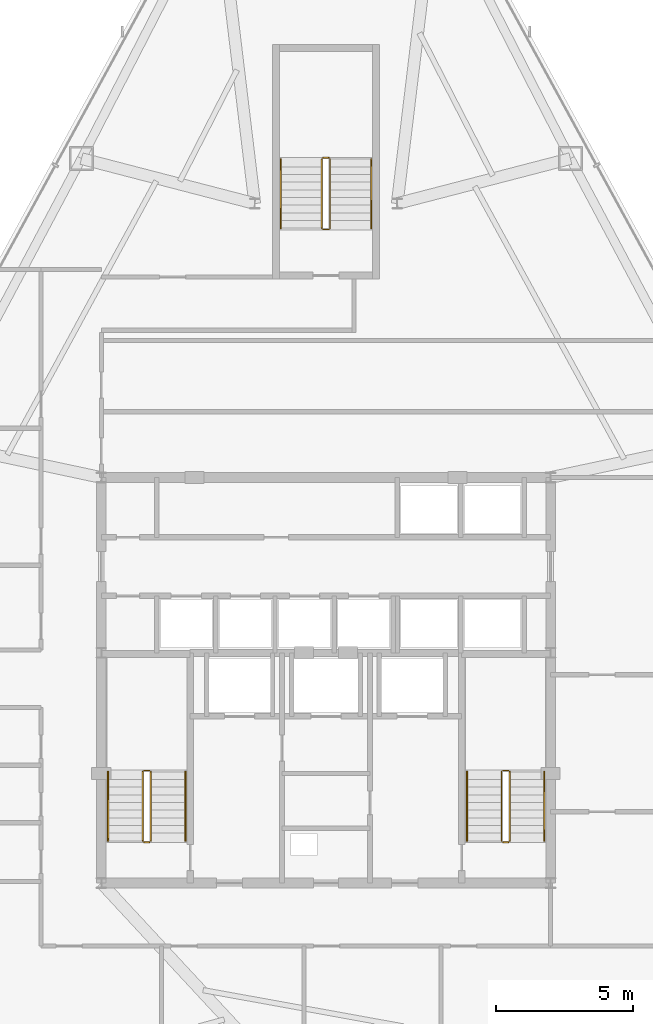
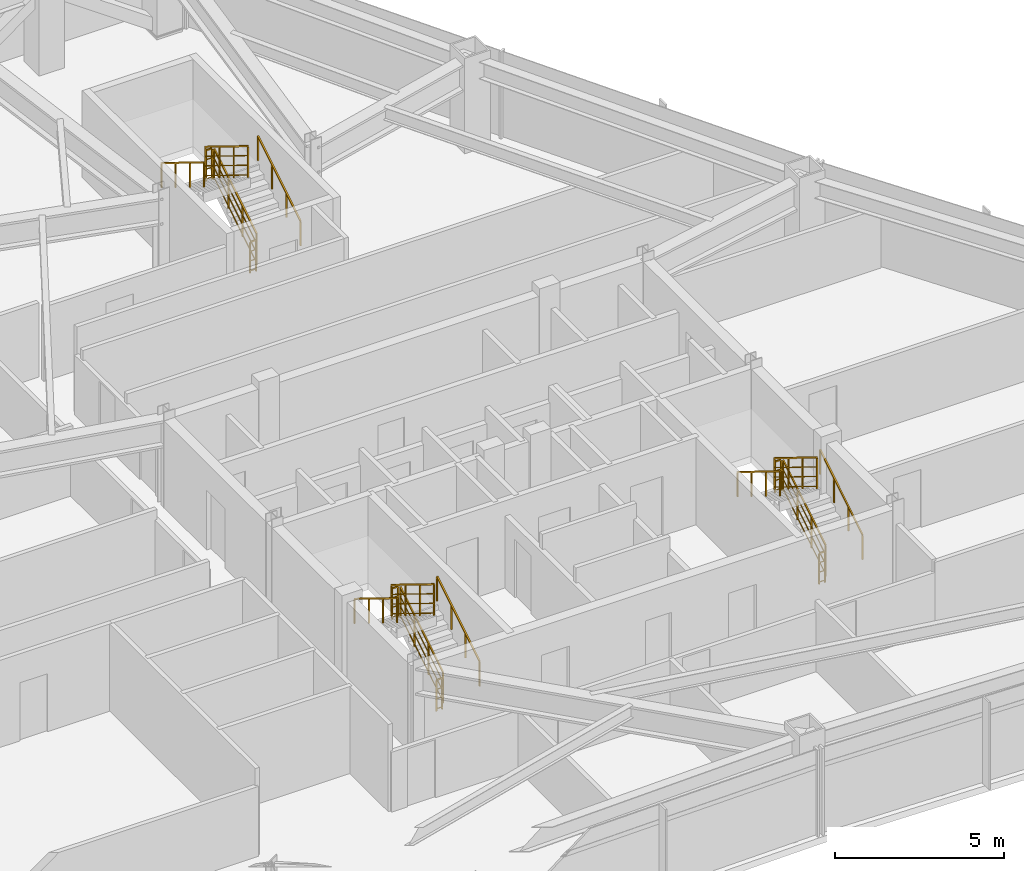
# One storey, part 12 of 12: 18 railings.
"""IFC4 building model written with IfcOpenShell, lengths in metres."""

from ifc_helpers import new_model, si_unit, direction, frame, origin, origin_2d, place, context, subcontext, project, spatial, rectangle, extrude, material, type_object, element, save


model = new_model("IFC4")

# Units and contexts
model_context = context("Model", 3, precision=1e-05, world=origin(), true_north=direction((0.0, 1.0)))
body_context = subcontext(model_context, "Body", "Model", "MODEL_VIEW")
ifc_project = project(units=[si_unit("LENGTHUNIT", "METRE"), si_unit("AREAUNIT", "SQUARE_METRE"), si_unit("VOLUMEUNIT", "CUBIC_METRE"), si_unit("PLANEANGLEUNIT", "RADIAN"), si_unit("MASSUNIT", "GRAM", prefix="KILO")], contexts=[model_context])

# Site, building, storey
site_placement = place(None, origin())
site = spatial("IfcSite", under=ifc_project, at=site_placement, CompositionType="ELEMENT")
building_placement = place(site_placement, origin())
building = spatial("IfcBuilding", under=site, at=building_placement, Name="Varakhsha Concourse Tower", CompositionType="ELEMENT")
storey_placement = place(building_placement, frame((0.0, 0.0, 153.949951171875)))
storey = spatial("IfcBuildingStorey", under=building, at=storey_placement, Name="L44", CompositionType="ELEMENT", Elevation=153.949951171875)

# Railings
ifc_material = material(Name="Brushed Austenitic Stainless Steel AISI 316", Category="steel")
railing_type_1 = type_object("IfcRailingType", Name="RL-STAIR-GUARD-1100", PredefinedType="GUARDRAIL", material=ifc_material)
railing_1_placement = place(storey_placement, frame((33.610107421875, 17.93994140625, 0.172607421875)))
element("IfcRailing", 1, at=railing_1_placement, inside=storey, type_object=railing_type_1, Name="L44 ST1 stair guard 1", PredefinedType="GUARDRAIL", context=body_context, shape_type="SweptSolid", body=[
    extrude(rectangle(XDim=0.048095703125, YDim=0.048095703125, at=origin_2d()), frame((0.0, 0.0, 1.1259765625), z_axis=(0.0, 0.851400495292, 0.524516154772), x_axis=(-1.0, 0.0, 0.0)), (0.0, 0.0, 1.0), 2.9599609375),
    extrude(rectangle(XDim=0.028076171875, YDim=0.028076171875, at=origin_2d()), frame((0.0, 0.0, 0.080078125), z_axis=(0.0, 0.851400495292, 0.524516154772), x_axis=(-1.0, 0.0, 0.0)), (0.0, 0.0, 1.0), 2.9599609375),
    extrude(rectangle(XDim=0.028076171875, YDim=0.028076171875, at=origin_2d()), frame((0.0, 0.0, 0.43701171875), z_axis=(0.0, 0.851400495292, 0.524516154772), x_axis=(-1.0, 0.0, 0.0)), (0.0, 0.0, 1.0), 2.9599609375),
    extrude(rectangle(XDim=0.028076171875, YDim=0.028076171875, at=origin_2d()), frame((0.0, 0.0, 0.781982421875), z_axis=(0.0, 0.851400495292, 0.524516154772), x_axis=(-1.0, 0.0, 0.0)), (0.0, 0.0, 1.0), 2.9599609375),
    extrude(rectangle(XDim=0.0419921875, YDim=0.0419921875, at=origin_2d()), origin(), (0.0, 0.0, 1.0), 1.101806640625),
    extrude(rectangle(XDim=0.0419921875, YDim=0.0419921875, at=origin_2d()), frame((0.0, 0.840087890625, 0.517578125)), (0.0, 0.0, 1.0), 1.101806640625),
    extrude(rectangle(XDim=0.0419921875, YDim=0.0419921875, at=origin_2d()), frame((0.0, 1.679931640625, 1.034912109375)), (0.0, 0.0, 1.0), 1.101806640625),
    extrude(rectangle(XDim=0.0419921875, YDim=0.0419921875, at=origin_2d()), frame((0.0, 2.52001953125, 1.552490234375)), (0.0, 0.0, 1.0), 1.101806640625),
])
railing_2_placement = place(storey_placement, frame((33.56005859375, 20.510009765625, 1.72509765625)))
element("IfcRailing", 2, at=railing_2_placement, inside=storey, type_object=railing_type_1, Name="L44 ST1 stair guard 2", PredefinedType="GUARDRAIL", context=body_context, shape_type="SweptSolid", body=[
    extrude(rectangle(XDim=0.048095703125, YDim=0.048095703125, at=origin_2d()), frame((0.0, 0.0, 1.1259765625), z_axis=(-1.0, 0.0, 0.0), x_axis=(0.0, -1.0, 0.0)), (0.0, 0.0, 1.0), 0.199951171875),
    extrude(rectangle(XDim=0.028076171875, YDim=0.028076171875, at=origin_2d()), frame((0.0, 0.0, 0.080078125), z_axis=(-1.0, 0.0, 0.0), x_axis=(0.0, -1.0, 0.0)), (0.0, 0.0, 1.0), 0.199951171875),
    extrude(rectangle(XDim=0.028076171875, YDim=0.028076171875, at=origin_2d()), frame((0.0, 0.0, 0.43701171875), z_axis=(-1.0, 0.0, 0.0), x_axis=(0.0, -1.0, 0.0)), (0.0, 0.0, 1.0), 0.199951171875),
    extrude(rectangle(XDim=0.028076171875, YDim=0.028076171875, at=origin_2d()), frame((0.0, 0.0, 0.781982421875), z_axis=(-1.0, 0.0, 0.0), x_axis=(0.0, -1.0, 0.0)), (0.0, 0.0, 1.0), 0.199951171875),
    extrude(rectangle(XDim=0.0419921875, YDim=0.0419921875, at=origin_2d()), origin(), (0.0, 0.0, 1.0), 1.101806640625),
    extrude(rectangle(XDim=0.0419921875, YDim=0.0419921875, at=origin_2d()), frame((-0.199951171875, 0.0, 0.0)), (0.0, 0.0, 1.0), 1.101806640625),
])
railing_3_placement = place(storey_placement, frame((33.31005859375, 20.4599609375, 1.8974609375)))
element("IfcRailing", 3, at=railing_3_placement, inside=storey, type_object=railing_type_1, Name="L44 ST1 stair guard 3", PredefinedType="GUARDRAIL", context=body_context, shape_type="SweptSolid", body=[
    extrude(rectangle(XDim=0.048095703125, YDim=0.048095703125, at=origin_2d()), frame((0.0, 0.0, 1.1259765625), z_axis=(0.0, -0.851400495292, 0.524516154772), x_axis=(1.0, 0.0, 0.0)), (0.0, 0.0, 1.0), 2.9599609375),
    extrude(rectangle(XDim=0.028076171875, YDim=0.028076171875, at=origin_2d()), frame((0.0, 0.0, 0.080078125), z_axis=(0.0, -0.851400495292, 0.524516154772), x_axis=(1.0, 0.0, 0.0)), (0.0, 0.0, 1.0), 2.9599609375),
    extrude(rectangle(XDim=0.028076171875, YDim=0.028076171875, at=origin_2d()), frame((0.0, 0.0, 0.43701171875), z_axis=(0.0, -0.851400495292, 0.524516154772), x_axis=(1.0, 0.0, 0.0)), (0.0, 0.0, 1.0), 2.9599609375),
    extrude(rectangle(XDim=0.028076171875, YDim=0.028076171875, at=origin_2d()), frame((0.0, 0.0, 0.781982421875), z_axis=(0.0, -0.851400495292, 0.524516154772), x_axis=(1.0, 0.0, 0.0)), (0.0, 0.0, 1.0), 2.9599609375),
    extrude(rectangle(XDim=0.0419921875, YDim=0.0419921875, at=origin_2d()), origin(), (0.0, 0.0, 1.0), 1.101806640625),
    extrude(rectangle(XDim=0.0419921875, YDim=0.0419921875, at=origin_2d()), frame((0.0, -0.840087890625, 0.517578125)), (0.0, 0.0, 1.0), 1.101806640625),
    extrude(rectangle(XDim=0.0419921875, YDim=0.0419921875, at=origin_2d()), frame((0.0, -1.679931640625, 1.034912109375)), (0.0, 0.0, 1.0), 1.101806640625),
    extrude(rectangle(XDim=0.0419921875, YDim=0.0419921875, at=origin_2d()), frame((0.0, -2.52001953125, 1.552490234375)), (0.0, 0.0, 1.0), 1.101806640625),
])
railing_4_placement = place(storey_placement, frame((33.56005859375, 17.889892578125, 0.0)))
element("IfcRailing", 4, at=railing_4_placement, inside=storey, type_object=railing_type_1, Name="L44 ST1 stair guard 4", PredefinedType="GUARDRAIL", context=body_context, shape_type="SweptSolid", body=[
    extrude(rectangle(XDim=0.048095703125, YDim=0.048095703125, at=origin_2d()), frame((0.0, 0.0, 1.1259765625), z_axis=(-1.0, 0.0, 0.0), x_axis=(0.0, -1.0, 0.0)), (0.0, 0.0, 1.0), 0.199951171875),
    extrude(rectangle(XDim=0.028076171875, YDim=0.028076171875, at=origin_2d()), frame((0.0, 0.0, 0.080078125), z_axis=(-1.0, 0.0, 0.0), x_axis=(0.0, -1.0, 0.0)), (0.0, 0.0, 1.0), 0.199951171875),
    extrude(rectangle(XDim=0.028076171875, YDim=0.028076171875, at=origin_2d()), frame((0.0, 0.0, 0.43701171875), z_axis=(-1.0, 0.0, 0.0), x_axis=(0.0, -1.0, 0.0)), (0.0, 0.0, 1.0), 0.199951171875),
    extrude(rectangle(XDim=0.028076171875, YDim=0.028076171875, at=origin_2d()), frame((0.0, 0.0, 0.781982421875), z_axis=(-1.0, 0.0, 0.0), x_axis=(0.0, -1.0, 0.0)), (0.0, 0.0, 1.0), 0.199951171875),
    extrude(rectangle(XDim=0.0419921875, YDim=0.0419921875, at=origin_2d()), origin(), (0.0, 0.0, 1.0), 1.101806640625),
    extrude(rectangle(XDim=0.0419921875, YDim=0.0419921875, at=origin_2d()), frame((-0.199951171875, 0.0, 0.0)), (0.0, 0.0, 1.0), 1.101806640625),
])
railing_5_placement = place(storey_placement, frame((46.7099609375, 17.93994140625, 0.172607421875)))
element("IfcRailing", 5, at=railing_5_placement, inside=storey, type_object=railing_type_1, Name="L44 ST2 stair guard 1", PredefinedType="GUARDRAIL", context=body_context, shape_type="SweptSolid", body=[
    extrude(rectangle(XDim=0.048095703125, YDim=0.048095703125, at=origin_2d()), frame((0.0, 0.0, 1.1259765625), z_axis=(0.0, 0.851400495292, 0.524516154772), x_axis=(-1.0, 0.0, 0.0)), (0.0, 0.0, 1.0), 2.9599609375),
    extrude(rectangle(XDim=0.028076171875, YDim=0.028076171875, at=origin_2d()), frame((0.0, 0.0, 0.080078125), z_axis=(0.0, 0.851400495292, 0.524516154772), x_axis=(-1.0, 0.0, 0.0)), (0.0, 0.0, 1.0), 2.9599609375),
    extrude(rectangle(XDim=0.028076171875, YDim=0.028076171875, at=origin_2d()), frame((0.0, 0.0, 0.43701171875), z_axis=(0.0, 0.851400495292, 0.524516154772), x_axis=(-1.0, 0.0, 0.0)), (0.0, 0.0, 1.0), 2.9599609375),
    extrude(rectangle(XDim=0.028076171875, YDim=0.028076171875, at=origin_2d()), frame((0.0, 0.0, 0.781982421875), z_axis=(0.0, 0.851400495292, 0.524516154772), x_axis=(-1.0, 0.0, 0.0)), (0.0, 0.0, 1.0), 2.9599609375),
    extrude(rectangle(XDim=0.0419921875, YDim=0.0419921875, at=origin_2d()), origin(), (0.0, 0.0, 1.0), 1.101806640625),
    extrude(rectangle(XDim=0.0419921875, YDim=0.0419921875, at=origin_2d()), frame((0.0, 0.840087890625, 0.517578125)), (0.0, 0.0, 1.0), 1.101806640625),
    extrude(rectangle(XDim=0.0419921875, YDim=0.0419921875, at=origin_2d()), frame((0.0, 1.679931640625, 1.034912109375)), (0.0, 0.0, 1.0), 1.101806640625),
    extrude(rectangle(XDim=0.0419921875, YDim=0.0419921875, at=origin_2d()), frame((0.0, 2.52001953125, 1.552490234375)), (0.0, 0.0, 1.0), 1.101806640625),
])
railing_6_placement = place(storey_placement, frame((46.659912109375, 20.510009765625, 1.72509765625)))
element("IfcRailing", 6, at=railing_6_placement, inside=storey, type_object=railing_type_1, Name="L44 ST2 stair guard 2", PredefinedType="GUARDRAIL", context=body_context, shape_type="SweptSolid", body=[
    extrude(rectangle(XDim=0.048095703125, YDim=0.048095703125, at=origin_2d()), frame((0.0, 0.0, 1.1259765625), z_axis=(-1.0, 0.0, 0.0), x_axis=(0.0, -1.0, 0.0)), (0.0, 0.0, 1.0), 0.199951171875),
    extrude(rectangle(XDim=0.028076171875, YDim=0.028076171875, at=origin_2d()), frame((0.0, 0.0, 0.080078125), z_axis=(-1.0, 0.0, 0.0), x_axis=(0.0, -1.0, 0.0)), (0.0, 0.0, 1.0), 0.199951171875),
    extrude(rectangle(XDim=0.028076171875, YDim=0.028076171875, at=origin_2d()), frame((0.0, 0.0, 0.43701171875), z_axis=(-1.0, 0.0, 0.0), x_axis=(0.0, -1.0, 0.0)), (0.0, 0.0, 1.0), 0.199951171875),
    extrude(rectangle(XDim=0.028076171875, YDim=0.028076171875, at=origin_2d()), frame((0.0, 0.0, 0.781982421875), z_axis=(-1.0, 0.0, 0.0), x_axis=(0.0, -1.0, 0.0)), (0.0, 0.0, 1.0), 0.199951171875),
    extrude(rectangle(XDim=0.0419921875, YDim=0.0419921875, at=origin_2d()), origin(), (0.0, 0.0, 1.0), 1.101806640625),
    extrude(rectangle(XDim=0.0419921875, YDim=0.0419921875, at=origin_2d()), frame((-0.199951171875, 0.0, 0.0)), (0.0, 0.0, 1.0), 1.101806640625),
])
railing_7_placement = place(storey_placement, frame((46.409912109375, 20.4599609375, 1.8974609375)))
element("IfcRailing", 7, at=railing_7_placement, inside=storey, type_object=railing_type_1, Name="L44 ST2 stair guard 3", PredefinedType="GUARDRAIL", context=body_context, shape_type="SweptSolid", body=[
    extrude(rectangle(XDim=0.048095703125, YDim=0.048095703125, at=origin_2d()), frame((0.0, 0.0, 1.1259765625), z_axis=(0.0, -0.851400495292, 0.524516154772), x_axis=(1.0, 0.0, 0.0)), (0.0, 0.0, 1.0), 2.9599609375),
    extrude(rectangle(XDim=0.028076171875, YDim=0.028076171875, at=origin_2d()), frame((0.0, 0.0, 0.080078125), z_axis=(0.0, -0.851400495292, 0.524516154772), x_axis=(1.0, 0.0, 0.0)), (0.0, 0.0, 1.0), 2.9599609375),
    extrude(rectangle(XDim=0.028076171875, YDim=0.028076171875, at=origin_2d()), frame((0.0, 0.0, 0.43701171875), z_axis=(0.0, -0.851400495292, 0.524516154772), x_axis=(1.0, 0.0, 0.0)), (0.0, 0.0, 1.0), 2.9599609375),
    extrude(rectangle(XDim=0.028076171875, YDim=0.028076171875, at=origin_2d()), frame((0.0, 0.0, 0.781982421875), z_axis=(0.0, -0.851400495292, 0.524516154772), x_axis=(1.0, 0.0, 0.0)), (0.0, 0.0, 1.0), 2.9599609375),
    extrude(rectangle(XDim=0.0419921875, YDim=0.0419921875, at=origin_2d()), origin(), (0.0, 0.0, 1.0), 1.101806640625),
    extrude(rectangle(XDim=0.0419921875, YDim=0.0419921875, at=origin_2d()), frame((0.0, -0.840087890625, 0.517578125)), (0.0, 0.0, 1.0), 1.101806640625),
    extrude(rectangle(XDim=0.0419921875, YDim=0.0419921875, at=origin_2d()), frame((0.0, -1.679931640625, 1.034912109375)), (0.0, 0.0, 1.0), 1.101806640625),
    extrude(rectangle(XDim=0.0419921875, YDim=0.0419921875, at=origin_2d()), frame((0.0, -2.52001953125, 1.552490234375)), (0.0, 0.0, 1.0), 1.101806640625),
])
railing_8_placement = place(storey_placement, frame((46.659912109375, 17.889892578125, 0.0)))
element("IfcRailing", 8, at=railing_8_placement, inside=storey, type_object=railing_type_1, Name="L44 ST2 stair guard 4", PredefinedType="GUARDRAIL", context=body_context, shape_type="SweptSolid", body=[
    extrude(rectangle(XDim=0.048095703125, YDim=0.048095703125, at=origin_2d()), frame((0.0, 0.0, 1.1259765625), z_axis=(-1.0, 0.0, 0.0), x_axis=(0.0, -1.0, 0.0)), (0.0, 0.0, 1.0), 0.199951171875),
    extrude(rectangle(XDim=0.028076171875, YDim=0.028076171875, at=origin_2d()), frame((0.0, 0.0, 0.080078125), z_axis=(-1.0, 0.0, 0.0), x_axis=(0.0, -1.0, 0.0)), (0.0, 0.0, 1.0), 0.199951171875),
    extrude(rectangle(XDim=0.028076171875, YDim=0.028076171875, at=origin_2d()), frame((0.0, 0.0, 0.43701171875), z_axis=(-1.0, 0.0, 0.0), x_axis=(0.0, -1.0, 0.0)), (0.0, 0.0, 1.0), 0.199951171875),
    extrude(rectangle(XDim=0.028076171875, YDim=0.028076171875, at=origin_2d()), frame((0.0, 0.0, 0.781982421875), z_axis=(-1.0, 0.0, 0.0), x_axis=(0.0, -1.0, 0.0)), (0.0, 0.0, 1.0), 0.199951171875),
    extrude(rectangle(XDim=0.0419921875, YDim=0.0419921875, at=origin_2d()), origin(), (0.0, 0.0, 1.0), 1.101806640625),
    extrude(rectangle(XDim=0.0419921875, YDim=0.0419921875, at=origin_2d()), frame((-0.199951171875, 0.0, 0.0)), (0.0, 0.0, 1.0), 1.101806640625),
])
railing_9_placement = place(storey_placement, frame((40.14990234375, 40.300048828125, 0.172607421875)))
element("IfcRailing", 9, at=railing_9_placement, inside=storey, type_object=railing_type_1, Name="L44 ST5 stair guard 1", PredefinedType="GUARDRAIL", context=body_context, shape_type="SweptSolid", body=[
    extrude(rectangle(XDim=0.048095703125, YDim=0.048095703125, at=origin_2d()), frame((0.0, 0.0, 1.1259765625), z_axis=(0.0, 0.851400495292, 0.524516154772), x_axis=(-1.0, 0.0, 0.0)), (0.0, 0.0, 1.0), 2.9599609375),
    extrude(rectangle(XDim=0.028076171875, YDim=0.028076171875, at=origin_2d()), frame((0.0, 0.0, 0.080078125), z_axis=(0.0, 0.851400495292, 0.524516154772), x_axis=(-1.0, 0.0, 0.0)), (0.0, 0.0, 1.0), 2.9599609375),
    extrude(rectangle(XDim=0.028076171875, YDim=0.028076171875, at=origin_2d()), frame((0.0, 0.0, 0.43701171875), z_axis=(0.0, 0.851400495292, 0.524516154772), x_axis=(-1.0, 0.0, 0.0)), (0.0, 0.0, 1.0), 2.9599609375),
    extrude(rectangle(XDim=0.028076171875, YDim=0.028076171875, at=origin_2d()), frame((0.0, 0.0, 0.781982421875), z_axis=(0.0, 0.851400495292, 0.524516154772), x_axis=(-1.0, 0.0, 0.0)), (0.0, 0.0, 1.0), 2.9599609375),
    extrude(rectangle(XDim=0.0419921875, YDim=0.0419921875, at=origin_2d()), origin(), (0.0, 0.0, 1.0), 1.101806640625),
    extrude(rectangle(XDim=0.0419921875, YDim=0.0419921875, at=origin_2d()), frame((0.0, 0.840087890625, 0.517578125)), (0.0, 0.0, 1.0), 1.101806640625),
    extrude(rectangle(XDim=0.0419921875, YDim=0.0419921875, at=origin_2d()), frame((0.0, 1.679931640625, 1.034912109375)), (0.0, 0.0, 1.0), 1.101806640625),
    extrude(rectangle(XDim=0.0419921875, YDim=0.0419921875, at=origin_2d()), frame((0.0, 2.52001953125, 1.552490234375)), (0.0, 0.0, 1.0), 1.101806640625),
])
railing_10_placement = place(storey_placement, frame((40.10009765625, 42.8701171875, 1.72509765625)))
element("IfcRailing", 10, at=railing_10_placement, inside=storey, type_object=railing_type_1, Name="L44 ST5 stair guard 2", PredefinedType="GUARDRAIL", context=body_context, shape_type="SweptSolid", body=[
    extrude(rectangle(XDim=0.048095703125, YDim=0.048095703125, at=origin_2d()), frame((0.0, 0.0, 1.1259765625), z_axis=(-1.0, 0.0, 0.0), x_axis=(0.0, -1.0, 0.0)), (0.0, 0.0, 1.0), 0.2001953125),
    extrude(rectangle(XDim=0.028076171875, YDim=0.028076171875, at=origin_2d()), frame((0.0, 0.0, 0.080078125), z_axis=(-1.0, 0.0, 0.0), x_axis=(0.0, -1.0, 0.0)), (0.0, 0.0, 1.0), 0.2001953125),
    extrude(rectangle(XDim=0.028076171875, YDim=0.028076171875, at=origin_2d()), frame((0.0, 0.0, 0.43701171875), z_axis=(-1.0, 0.0, 0.0), x_axis=(0.0, -1.0, 0.0)), (0.0, 0.0, 1.0), 0.2001953125),
    extrude(rectangle(XDim=0.028076171875, YDim=0.028076171875, at=origin_2d()), frame((0.0, 0.0, 0.781982421875), z_axis=(-1.0, 0.0, 0.0), x_axis=(0.0, -1.0, 0.0)), (0.0, 0.0, 1.0), 0.2001953125),
    extrude(rectangle(XDim=0.0419921875, YDim=0.0419921875, at=origin_2d()), origin(), (0.0, 0.0, 1.0), 1.101806640625),
    extrude(rectangle(XDim=0.0419921875, YDim=0.0419921875, at=origin_2d()), frame((-0.2001953125, 0.0, 0.0)), (0.0, 0.0, 1.0), 1.101806640625),
])
railing_11_placement = place(storey_placement, frame((39.85009765625, 42.820068359375, 1.8974609375)))
element("IfcRailing", 11, at=railing_11_placement, inside=storey, type_object=railing_type_1, Name="L44 ST5 stair guard 3", PredefinedType="GUARDRAIL", context=body_context, shape_type="SweptSolid", body=[
    extrude(rectangle(XDim=0.048095703125, YDim=0.048095703125, at=origin_2d()), frame((0.0, 0.0, 1.1259765625), z_axis=(0.0, -0.851400495292, 0.524516154772), x_axis=(1.0, 0.0, 0.0)), (0.0, 0.0, 1.0), 2.9599609375),
    extrude(rectangle(XDim=0.028076171875, YDim=0.028076171875, at=origin_2d()), frame((0.0, 0.0, 0.080078125), z_axis=(0.0, -0.851400495292, 0.524516154772), x_axis=(1.0, 0.0, 0.0)), (0.0, 0.0, 1.0), 2.9599609375),
    extrude(rectangle(XDim=0.028076171875, YDim=0.028076171875, at=origin_2d()), frame((0.0, 0.0, 0.43701171875), z_axis=(0.0, -0.851400495292, 0.524516154772), x_axis=(1.0, 0.0, 0.0)), (0.0, 0.0, 1.0), 2.9599609375),
    extrude(rectangle(XDim=0.028076171875, YDim=0.028076171875, at=origin_2d()), frame((0.0, 0.0, 0.781982421875), z_axis=(0.0, -0.851400495292, 0.524516154772), x_axis=(1.0, 0.0, 0.0)), (0.0, 0.0, 1.0), 2.9599609375),
    extrude(rectangle(XDim=0.0419921875, YDim=0.0419921875, at=origin_2d()), origin(), (0.0, 0.0, 1.0), 1.101806640625),
    extrude(rectangle(XDim=0.0419921875, YDim=0.0419921875, at=origin_2d()), frame((0.0, -0.840087890625, 0.517578125)), (0.0, 0.0, 1.0), 1.101806640625),
    extrude(rectangle(XDim=0.0419921875, YDim=0.0419921875, at=origin_2d()), frame((0.0, -1.679931640625, 1.034912109375)), (0.0, 0.0, 1.0), 1.101806640625),
    extrude(rectangle(XDim=0.0419921875, YDim=0.0419921875, at=origin_2d()), frame((0.0, -2.52001953125, 1.552490234375)), (0.0, 0.0, 1.0), 1.101806640625),
])
railing_12_placement = place(storey_placement, frame((40.10009765625, 40.25, 0.0)))
element("IfcRailing", 12, at=railing_12_placement, inside=storey, type_object=railing_type_1, Name="L44 ST5 stair guard 4", PredefinedType="GUARDRAIL", context=body_context, shape_type="SweptSolid", body=[
    extrude(rectangle(XDim=0.048095703125, YDim=0.048095703125, at=origin_2d()), frame((0.0, 0.0, 1.1259765625), z_axis=(-1.0, 0.0, 0.0), x_axis=(0.0, -1.0, 0.0)), (0.0, 0.0, 1.0), 0.2001953125),
    extrude(rectangle(XDim=0.028076171875, YDim=0.028076171875, at=origin_2d()), frame((0.0, 0.0, 0.080078125), z_axis=(-1.0, 0.0, 0.0), x_axis=(0.0, -1.0, 0.0)), (0.0, 0.0, 1.0), 0.2001953125),
    extrude(rectangle(XDim=0.028076171875, YDim=0.028076171875, at=origin_2d()), frame((0.0, 0.0, 0.43701171875), z_axis=(-1.0, 0.0, 0.0), x_axis=(0.0, -1.0, 0.0)), (0.0, 0.0, 1.0), 0.2001953125),
    extrude(rectangle(XDim=0.028076171875, YDim=0.028076171875, at=origin_2d()), frame((0.0, 0.0, 0.781982421875), z_axis=(-1.0, 0.0, 0.0), x_axis=(0.0, -1.0, 0.0)), (0.0, 0.0, 1.0), 0.2001953125),
    extrude(rectangle(XDim=0.0419921875, YDim=0.0419921875, at=origin_2d()), origin(), (0.0, 0.0, 1.0), 1.101806640625),
    extrude(rectangle(XDim=0.0419921875, YDim=0.0419921875, at=origin_2d()), frame((-0.2001953125, 0.0, 0.0)), (0.0, 0.0, 1.0), 1.101806640625),
])
railing_type_2 = type_object("IfcRailingType", Name="RL-STAIR-RAIL-915", PredefinedType="HANDRAIL", material=ifc_material)
railing_13_placement = place(storey_placement, frame((34.8701171875, 17.93994140625, 0.344970703125)))
element("IfcRailing", 13, at=railing_13_placement, inside=storey, type_object=railing_type_2, Name="L44 ST1 stair handrail 1", PredefinedType="HANDRAIL", context=body_context, shape_type="SweptSolid", body=[
    extrude(rectangle(XDim=0.048095703125, YDim=0.048095703125, at=origin_2d()), frame((0.0, 0.0, 0.89111328125), z_axis=(0.0, 0.851400495292, 0.524516154772), x_axis=(-1.0, 0.0, 0.0)), (0.0, 0.0, 1.0), 2.9599609375),
    extrude(rectangle(XDim=0.0419921875, YDim=0.0419921875, at=origin_2d()), origin(), (0.0, 0.0, 1.0), 0.866943359375),
    extrude(rectangle(XDim=0.0419921875, YDim=0.0419921875, at=origin_2d()), frame((0.0, 0.840087890625, 0.517578125)), (0.0, 0.0, 1.0), 0.866943359375),
    extrude(rectangle(XDim=0.0419921875, YDim=0.0419921875, at=origin_2d()), frame((0.0, 1.679931640625, 1.034912109375)), (0.0, 0.0, 1.0), 0.866943359375),
    extrude(rectangle(XDim=0.0419921875, YDim=0.0419921875, at=origin_2d()), frame((0.0, 2.52001953125, 1.552490234375)), (0.0, 0.0, 1.0), 0.866943359375),
])
railing_14_placement = place(storey_placement, frame((32.050048828125, 20.4599609375, 2.070068359375)))
element("IfcRailing", 14, at=railing_14_placement, inside=storey, type_object=railing_type_2, Name="L44 ST1 stair handrail 2", PredefinedType="HANDRAIL", context=body_context, shape_type="SweptSolid", body=[
    extrude(rectangle(XDim=0.048095703125, YDim=0.048095703125, at=origin_2d()), frame((0.0, 0.0, 0.89111328125), z_axis=(0.0, -0.851400495292, 0.524516154772), x_axis=(1.0, 0.0, 0.0)), (0.0, 0.0, 1.0), 2.9599609375),
    extrude(rectangle(XDim=0.0419921875, YDim=0.0419921875, at=origin_2d()), origin(), (0.0, 0.0, 1.0), 0.866943359375),
    extrude(rectangle(XDim=0.0419921875, YDim=0.0419921875, at=origin_2d()), frame((0.0, -0.840087890625, 0.517578125)), (0.0, 0.0, 1.0), 0.866943359375),
    extrude(rectangle(XDim=0.0419921875, YDim=0.0419921875, at=origin_2d()), frame((0.0, -1.679931640625, 1.034912109375)), (0.0, 0.0, 1.0), 0.866943359375),
    extrude(rectangle(XDim=0.0419921875, YDim=0.0419921875, at=origin_2d()), frame((0.0, -2.52001953125, 1.552490234375)), (0.0, 0.0, 1.0), 0.866943359375),
])
railing_15_placement = place(storey_placement, frame((47.969970703125, 17.93994140625, 0.344970703125)))
element("IfcRailing", 15, at=railing_15_placement, inside=storey, type_object=railing_type_2, Name="L44 ST2 stair handrail 1", PredefinedType="HANDRAIL", context=body_context, shape_type="SweptSolid", body=[
    extrude(rectangle(XDim=0.048095703125, YDim=0.048095703125, at=origin_2d()), frame((0.0, 0.0, 0.89111328125), z_axis=(0.0, 0.851400495292, 0.524516154772), x_axis=(-1.0, 0.0, 0.0)), (0.0, 0.0, 1.0), 2.9599609375),
    extrude(rectangle(XDim=0.0419921875, YDim=0.0419921875, at=origin_2d()), origin(), (0.0, 0.0, 1.0), 0.866943359375),
    extrude(rectangle(XDim=0.0419921875, YDim=0.0419921875, at=origin_2d()), frame((0.0, 0.840087890625, 0.517578125)), (0.0, 0.0, 1.0), 0.866943359375),
    extrude(rectangle(XDim=0.0419921875, YDim=0.0419921875, at=origin_2d()), frame((0.0, 1.679931640625, 1.034912109375)), (0.0, 0.0, 1.0), 0.866943359375),
    extrude(rectangle(XDim=0.0419921875, YDim=0.0419921875, at=origin_2d()), frame((0.0, 2.52001953125, 1.552490234375)), (0.0, 0.0, 1.0), 0.866943359375),
])
railing_16_placement = place(storey_placement, frame((45.14990234375, 20.4599609375, 2.070068359375)))
element("IfcRailing", 16, at=railing_16_placement, inside=storey, type_object=railing_type_2, Name="L44 ST2 stair handrail 2", PredefinedType="HANDRAIL", context=body_context, shape_type="SweptSolid", body=[
    extrude(rectangle(XDim=0.048095703125, YDim=0.048095703125, at=origin_2d()), frame((0.0, 0.0, 0.89111328125), z_axis=(0.0, -0.851400495292, 0.524516154772), x_axis=(1.0, 0.0, 0.0)), (0.0, 0.0, 1.0), 2.9599609375),
    extrude(rectangle(XDim=0.0419921875, YDim=0.0419921875, at=origin_2d()), origin(), (0.0, 0.0, 1.0), 0.866943359375),
    extrude(rectangle(XDim=0.0419921875, YDim=0.0419921875, at=origin_2d()), frame((0.0, -0.840087890625, 0.517578125)), (0.0, 0.0, 1.0), 0.866943359375),
    extrude(rectangle(XDim=0.0419921875, YDim=0.0419921875, at=origin_2d()), frame((0.0, -1.679931640625, 1.034912109375)), (0.0, 0.0, 1.0), 0.866943359375),
    extrude(rectangle(XDim=0.0419921875, YDim=0.0419921875, at=origin_2d()), frame((0.0, -2.52001953125, 1.552490234375)), (0.0, 0.0, 1.0), 0.866943359375),
])
railing_17_placement = place(storey_placement, frame((41.64990234375, 40.300048828125, 0.344970703125)))
element("IfcRailing", 17, at=railing_17_placement, inside=storey, type_object=railing_type_2, Name="L44 ST5 stair handrail 1", PredefinedType="HANDRAIL", context=body_context, shape_type="SweptSolid", body=[
    extrude(rectangle(XDim=0.048095703125, YDim=0.048095703125, at=origin_2d()), frame((0.0, 0.0, 0.89111328125), z_axis=(0.0, 0.851400495292, 0.524516154772), x_axis=(-1.0, 0.0, 0.0)), (0.0, 0.0, 1.0), 2.9599609375),
    extrude(rectangle(XDim=0.0419921875, YDim=0.0419921875, at=origin_2d()), origin(), (0.0, 0.0, 1.0), 0.866943359375),
    extrude(rectangle(XDim=0.0419921875, YDim=0.0419921875, at=origin_2d()), frame((0.0, 0.840087890625, 0.517578125)), (0.0, 0.0, 1.0), 0.866943359375),
    extrude(rectangle(XDim=0.0419921875, YDim=0.0419921875, at=origin_2d()), frame((0.0, 1.679931640625, 1.034912109375)), (0.0, 0.0, 1.0), 0.866943359375),
    extrude(rectangle(XDim=0.0419921875, YDim=0.0419921875, at=origin_2d()), frame((0.0, 2.52001953125, 1.552490234375)), (0.0, 0.0, 1.0), 0.866943359375),
])
railing_18_placement = place(storey_placement, frame((38.35009765625, 42.820068359375, 2.070068359375)))
element("IfcRailing", 18, at=railing_18_placement, inside=storey, type_object=railing_type_2, Name="L44 ST5 stair handrail 2", PredefinedType="HANDRAIL", context=body_context, shape_type="SweptSolid", body=[
    extrude(rectangle(XDim=0.048095703125, YDim=0.048095703125, at=origin_2d()), frame((0.0, 0.0, 0.89111328125), z_axis=(0.0, -0.851400495292, 0.524516154772), x_axis=(1.0, 0.0, 0.0)), (0.0, 0.0, 1.0), 2.9599609375),
    extrude(rectangle(XDim=0.0419921875, YDim=0.0419921875, at=origin_2d()), origin(), (0.0, 0.0, 1.0), 0.866943359375),
    extrude(rectangle(XDim=0.0419921875, YDim=0.0419921875, at=origin_2d()), frame((0.0, -0.840087890625, 0.517578125)), (0.0, 0.0, 1.0), 0.866943359375),
    extrude(rectangle(XDim=0.0419921875, YDim=0.0419921875, at=origin_2d()), frame((0.0, -1.679931640625, 1.034912109375)), (0.0, 0.0, 1.0), 0.866943359375),
    extrude(rectangle(XDim=0.0419921875, YDim=0.0419921875, at=origin_2d()), frame((0.0, -2.52001953125, 1.552490234375)), (0.0, 0.0, 1.0), 0.866943359375),
])

save(model, "model.ifc")
